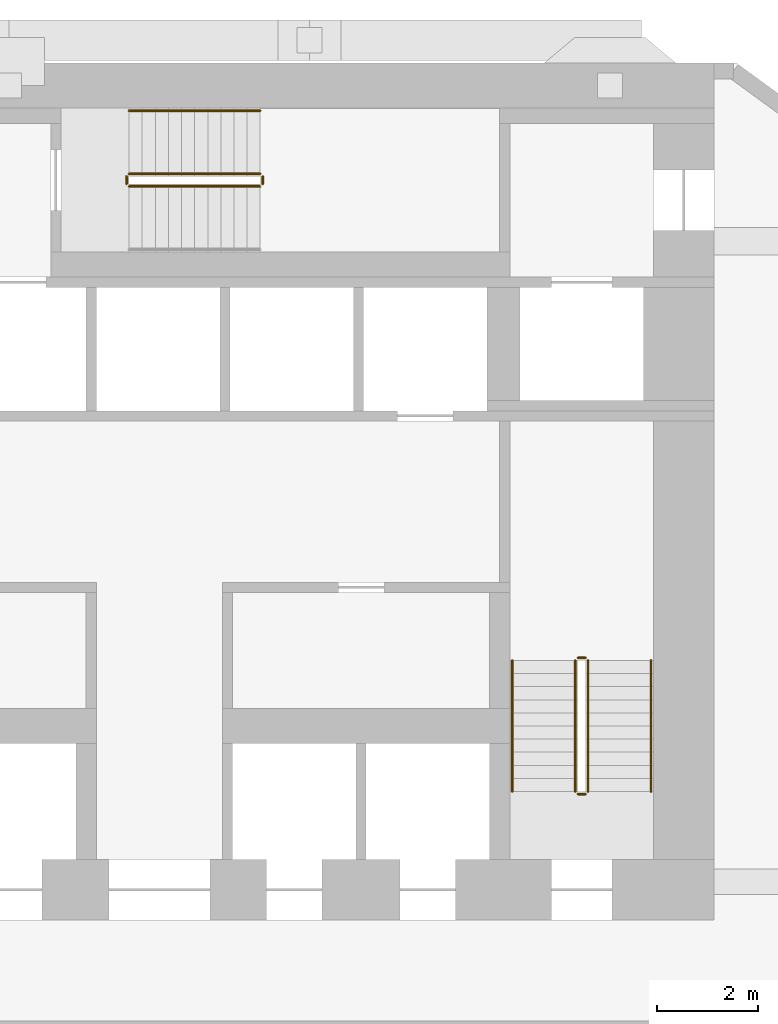
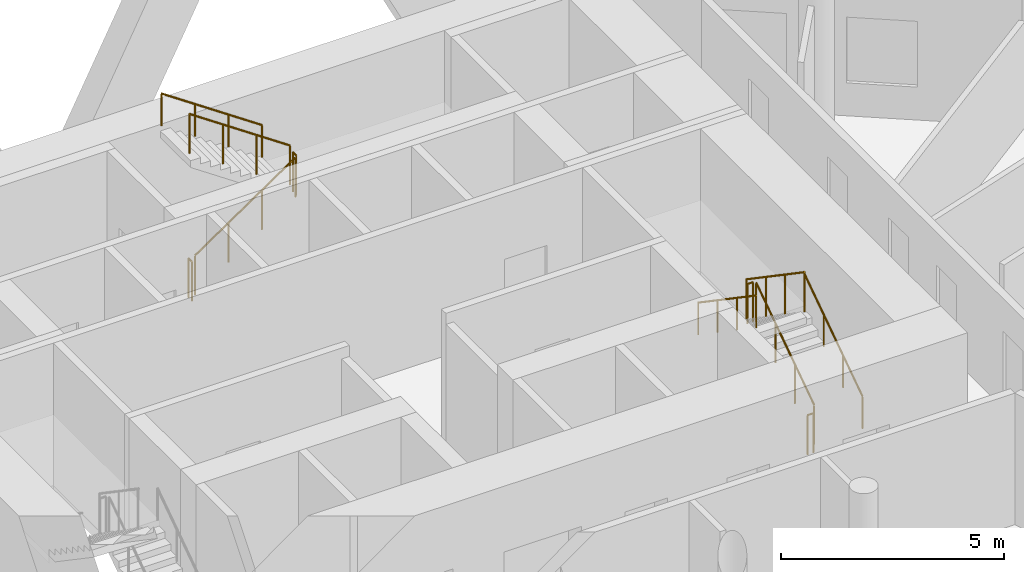
# One storey, part 10 of 10: 11 railings.
"""IFC4 building model written with IfcOpenShell, lengths in metres."""

from ifc_helpers import new_model, si_unit, direction, frame, origin, origin_2d, place, context, subcontext, project, spatial, circle, extrude, material, type_object, element, save


model = new_model("IFC4")

# Units and contexts
model_context = context("Model", 3, precision=1e-05, world=origin(), true_north=direction((0.0, 1.0)))
body_context = subcontext(model_context, "Body", "Model", "MODEL_VIEW")
ifc_project = project(units=[si_unit("LENGTHUNIT", "METRE"), si_unit("AREAUNIT", "SQUARE_METRE"), si_unit("VOLUMEUNIT", "CUBIC_METRE"), si_unit("PLANEANGLEUNIT", "RADIAN"), si_unit("MASSUNIT", "GRAM", prefix="KILO")], contexts=[model_context])

# Site, building, storey
site_placement = place(None, origin())
site = spatial("IfcSite", under=ifc_project, at=site_placement, CompositionType="ELEMENT")
building_placement = place(site_placement, origin())
building = spatial("IfcBuilding", under=site, at=building_placement, Name="White Candle Pilgrim Tower", CompositionType="ELEMENT")
storey_placement = place(building_placement, frame((0.0, 0.0, 66.300048828125)))
storey = spatial("IfcBuildingStorey", under=building, at=storey_placement, Name="L13", CompositionType="ELEMENT", Elevation=66.300048828125)

# Railings
ifc_material = material(Name="Stainless steel", Category="steel")
railing_type_1 = type_object("IfcRailingType", Name="Stair guard stainless steel 1100 mm", PredefinedType="GUARDRAIL", material=ifc_material)
railing_1_placement = place(storey_placement, frame((78.5, 73.550048828125, 0.17724609375)))
element("IfcRailing", 1, at=railing_1_placement, inside=storey, type_object=railing_type_1, Name="L13 ST2 stair guard 1", PredefinedType="GUARDRAIL", context=body_context, shape_type="SweptSolid", body=[
    extrude(circle(Radius=0.02392578125, at=origin_2d()), frame((0.0, 0.0, 1.076171875), z_axis=(0.0, 0.826215852431, 0.563353676824), x_axis=(-1.0, 0.0, 0.0)), (0.0, 0.0, 1.0), 3.146728515625),
    extrude(circle(Radius=0.02099609375, at=origin_2d()), origin(), (0.0, 0.0, 1.0), 1.052001953125),
    extrude(circle(Radius=0.02099609375, at=origin_2d()), frame((0.0, 0.86669921875, 0.5908203125)), (0.0, 0.0, 1.0), 1.052001953125),
    extrude(circle(Radius=0.02099609375, at=origin_2d()), frame((0.0, 1.733154296875, 1.181884765625)), (0.0, 0.0, 1.0), 1.052001953125),
    extrude(circle(Radius=0.02099609375, at=origin_2d()), frame((0.0, 2.599853515625, 1.772705078125)), (0.0, 0.0, 1.0), 1.052001953125),
])
railing_2_placement = place(storey_placement, frame((78.449951171875, 76.199951171875, 1.949951171875)))
element("IfcRailing", 2, at=railing_2_placement, inside=storey, type_object=railing_type_1, Name="L13 ST2 stair guard 2", PredefinedType="GUARDRAIL", context=body_context, shape_type="SweptSolid", body=[
    extrude(circle(Radius=0.02392578125, at=origin_2d()), frame((0.0, 0.0, 1.076171875), z_axis=(-1.0, 0.0, 0.0), x_axis=(0.0, -1.0, 0.0)), (0.0, 0.0, 1.0), 0.14990234375),
    extrude(circle(Radius=0.02099609375, at=origin_2d()), origin(), (0.0, 0.0, 1.0), 1.052001953125),
    extrude(circle(Radius=0.02099609375, at=origin_2d()), frame((-0.14990234375, 0.0, 0.0)), (0.0, 0.0, 1.0), 1.052001953125),
])
railing_3_placement = place(storey_placement, frame((78.25, 76.14990234375, 2.127197265625)))
element("IfcRailing", 3, at=railing_3_placement, inside=storey, type_object=railing_type_1, Name="L13 ST2 stair guard 3", PredefinedType="GUARDRAIL", context=body_context, shape_type="SweptSolid", body=[
    extrude(circle(Radius=0.02392578125, at=origin_2d()), frame((0.0, 0.0, 1.076171875), z_axis=(0.0, -0.826215852431, 0.563353676824), x_axis=(1.0, 0.0, 0.0)), (0.0, 0.0, 1.0), 3.146728515625),
    extrude(circle(Radius=0.02099609375, at=origin_2d()), origin(), (0.0, 0.0, 1.0), 1.052001953125),
    extrude(circle(Radius=0.02099609375, at=origin_2d()), frame((0.0, -0.86669921875, 0.5908203125)), (0.0, 0.0, 1.0), 1.052001953125),
    extrude(circle(Radius=0.02099609375, at=origin_2d()), frame((0.0, -1.733154296875, 1.181884765625)), (0.0, 0.0, 1.0), 1.052001953125),
    extrude(circle(Radius=0.02099609375, at=origin_2d()), frame((0.0, -2.599853515625, 1.772705078125)), (0.0, 0.0, 1.0), 1.052001953125),
])
railing_4_placement = place(storey_placement, frame((78.449951171875, 73.5, 0.0)))
element("IfcRailing", 4, at=railing_4_placement, inside=storey, type_object=railing_type_1, Name="L13 ST2 stair guard 4", PredefinedType="GUARDRAIL", context=body_context, shape_type="SweptSolid", body=[
    extrude(circle(Radius=0.02392578125, at=origin_2d()), frame((0.0, 0.0, 1.076171875), z_axis=(-1.0, 0.0, 0.0), x_axis=(0.0, -1.0, 0.0)), (0.0, 0.0, 1.0), 0.14990234375),
    extrude(circle(Radius=0.02099609375, at=origin_2d()), origin(), (0.0, 0.0, 1.0), 1.052001953125),
    extrude(circle(Radius=0.02099609375, at=origin_2d()), frame((-0.14990234375, 0.0, 0.0)), (0.0, 0.0, 1.0), 1.052001953125),
])
railing_5_placement = place(storey_placement, frame((69.39990234375, 85.550048828125, 0.17724609375)))
element("IfcRailing", 5, at=railing_5_placement, inside=storey, type_object=railing_type_1, Name="L13 ST3 stair guard 1", PredefinedType="GUARDRAIL", context=body_context, shape_type="SweptSolid", body=[
    extrude(circle(Radius=0.02392578125, at=origin_2d()), frame((0.0, 0.0, 1.076171875), z_axis=(0.826240473404, 0.0, 0.563317565952), x_axis=(0.0, 1.0, 0.0)), (0.0, 0.0, 1.0), 3.14697265625),
    extrude(circle(Radius=0.02099609375, at=origin_2d()), origin(), (0.0, 0.0, 1.0), 1.052001953125),
    extrude(circle(Radius=0.02099609375, at=origin_2d()), frame((0.86669921875, 0.0, 0.5908203125)), (0.0, 0.0, 1.0), 1.052001953125),
    extrude(circle(Radius=0.02099609375, at=origin_2d()), frame((1.7333984375, 0.0, 1.181884765625)), (0.0, 0.0, 1.0), 1.052001953125),
    extrude(circle(Radius=0.02099609375, at=origin_2d()), frame((2.60009765625, 0.0, 1.772705078125)), (0.0, 0.0, 1.0), 1.052001953125),
])
railing_6_placement = place(storey_placement, frame((72.050048828125, 85.60009765625, 1.949951171875)))
element("IfcRailing", 6, at=railing_6_placement, inside=storey, type_object=railing_type_1, Name="L13 ST3 stair guard 2", PredefinedType="GUARDRAIL", context=body_context, shape_type="SweptSolid", body=[
    extrude(circle(Radius=0.02392578125, at=origin_2d()), frame((0.0, 0.0, 1.076171875), z_axis=(0.0, 1.0, 0.0), x_axis=(-1.0, 0.0, 0.0)), (0.0, 0.0, 1.0), 0.14990234375),
    extrude(circle(Radius=0.02099609375, at=origin_2d()), origin(), (0.0, 0.0, 1.0), 1.052001953125),
    extrude(circle(Radius=0.02099609375, at=origin_2d()), frame((0.0, 0.14990234375, 0.0)), (0.0, 0.0, 1.0), 1.052001953125),
])
railing_7_placement = place(storey_placement, frame((72.0, 85.800048828125, 2.127197265625)))
element("IfcRailing", 7, at=railing_7_placement, inside=storey, type_object=railing_type_1, Name="L13 ST3 stair guard 3", PredefinedType="GUARDRAIL", context=body_context, shape_type="SweptSolid", body=[
    extrude(circle(Radius=0.02392578125, at=origin_2d()), frame((0.0, 0.0, 1.076171875), z_axis=(-0.826240473404, 0.0, 0.563317565952), x_axis=(0.0, -1.0, 0.0)), (0.0, 0.0, 1.0), 3.14697265625),
    extrude(circle(Radius=0.02099609375, at=origin_2d()), origin(), (0.0, 0.0, 1.0), 1.052001953125),
    extrude(circle(Radius=0.02099609375, at=origin_2d()), frame((-0.86669921875, 0.0, 0.5908203125)), (0.0, 0.0, 1.0), 1.052001953125),
    extrude(circle(Radius=0.02099609375, at=origin_2d()), frame((-1.7333984375, 0.0, 1.181884765625)), (0.0, 0.0, 1.0), 1.052001953125),
    extrude(circle(Radius=0.02099609375, at=origin_2d()), frame((-2.60009765625, 0.0, 1.772705078125)), (0.0, 0.0, 1.0), 1.052001953125),
])
railing_8_placement = place(storey_placement, frame((69.35009765625, 85.60009765625, 0.0)))
element("IfcRailing", 8, at=railing_8_placement, inside=storey, type_object=railing_type_1, Name="L13 ST3 stair guard 4", PredefinedType="GUARDRAIL", context=body_context, shape_type="SweptSolid", body=[
    extrude(circle(Radius=0.02392578125, at=origin_2d()), frame((0.0, 0.0, 1.076171875), z_axis=(0.0, 1.0, 0.0), x_axis=(-1.0, 0.0, 0.0)), (0.0, 0.0, 1.0), 0.14990234375),
    extrude(circle(Radius=0.02099609375, at=origin_2d()), origin(), (0.0, 0.0, 1.0), 1.052001953125),
    extrude(circle(Radius=0.02099609375, at=origin_2d()), frame((0.0, 0.14990234375, 0.0)), (0.0, 0.0, 1.0), 1.052001953125),
])
railing_type_2 = type_object("IfcRailingType", Name="Stair handrail stainless steel", PredefinedType="HANDRAIL", material=ifc_material)
railing_9_placement = place(storey_placement, frame((79.75, 73.550048828125, 0.17724609375)))
element("IfcRailing", 9, at=railing_9_placement, inside=storey, type_object=railing_type_2, Name="L13 ST2 stair handrail 1", PredefinedType="HANDRAIL", context=body_context, shape_type="SweptSolid", body=[
    extrude(circle(Radius=0.02392578125, at=origin_2d()), frame((0.0, 0.0, 0.8759765625), z_axis=(0.0, 0.826215852431, 0.563353676824), x_axis=(-1.0, 0.0, 0.0)), (0.0, 0.0, 1.0), 3.146728515625),
    extrude(circle(Radius=0.02099609375, at=origin_2d()), origin(), (0.0, 0.0, 1.0), 0.851806640625),
    extrude(circle(Radius=0.02099609375, at=origin_2d()), frame((0.0, 0.86669921875, 0.5908203125)), (0.0, 0.0, 1.0), 0.851806640625),
    extrude(circle(Radius=0.02099609375, at=origin_2d()), frame((0.0, 1.733154296875, 1.181884765625)), (0.0, 0.0, 1.0), 0.851806640625),
    extrude(circle(Radius=0.02099609375, at=origin_2d()), frame((0.0, 2.599853515625, 1.772705078125)), (0.0, 0.0, 1.0), 0.851806640625),
])
railing_10_placement = place(storey_placement, frame((77.0, 76.14990234375, 2.127197265625)))
element("IfcRailing", 10, at=railing_10_placement, inside=storey, type_object=railing_type_2, Name="L13 ST2 stair handrail 2", PredefinedType="HANDRAIL", context=body_context, shape_type="SweptSolid", body=[
    extrude(circle(Radius=0.02392578125, at=origin_2d()), frame((0.0, 0.0, 0.8759765625), z_axis=(0.0, -0.826215852431, 0.563353676824), x_axis=(1.0, 0.0, 0.0)), (0.0, 0.0, 1.0), 3.146728515625),
    extrude(circle(Radius=0.02099609375, at=origin_2d()), origin(), (0.0, 0.0, 1.0), 0.851806640625),
    extrude(circle(Radius=0.02099609375, at=origin_2d()), frame((0.0, -0.86669921875, 0.5908203125)), (0.0, 0.0, 1.0), 0.851806640625),
    extrude(circle(Radius=0.02099609375, at=origin_2d()), frame((0.0, -1.733154296875, 1.181884765625)), (0.0, 0.0, 1.0), 0.851806640625),
    extrude(circle(Radius=0.02099609375, at=origin_2d()), frame((0.0, -2.599853515625, 1.772705078125)), (0.0, 0.0, 1.0), 0.851806640625),
])
railing_11_placement = place(storey_placement, frame((72.0, 87.050048828125, 2.127197265625)))
element("IfcRailing", 11, at=railing_11_placement, inside=storey, type_object=railing_type_2, Name="L13 ST3 stair handrail 2", PredefinedType="HANDRAIL", context=body_context, shape_type="SweptSolid", body=[
    extrude(circle(Radius=0.02392578125, at=origin_2d()), frame((0.0, 0.0, 0.8759765625), z_axis=(-0.826240473404, 0.0, 0.563317565952), x_axis=(0.0, -1.0, 0.0)), (0.0, 0.0, 1.0), 3.14697265625),
    extrude(circle(Radius=0.02099609375, at=origin_2d()), origin(), (0.0, 0.0, 1.0), 0.851806640625),
    extrude(circle(Radius=0.02099609375, at=origin_2d()), frame((-0.86669921875, 0.0, 0.5908203125)), (0.0, 0.0, 1.0), 0.851806640625),
    extrude(circle(Radius=0.02099609375, at=origin_2d()), frame((-1.7333984375, 0.0, 1.181884765625)), (0.0, 0.0, 1.0), 0.851806640625),
    extrude(circle(Radius=0.02099609375, at=origin_2d()), frame((-2.60009765625, 0.0, 1.772705078125)), (0.0, 0.0, 1.0), 0.851806640625),
])

save(model, "model.ifc")
